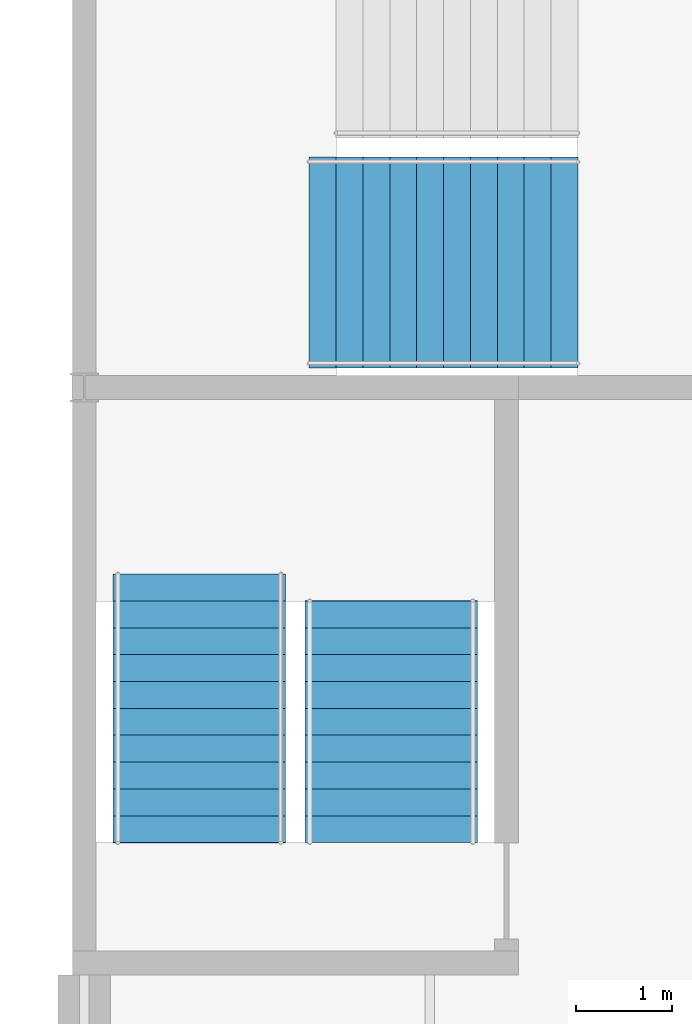
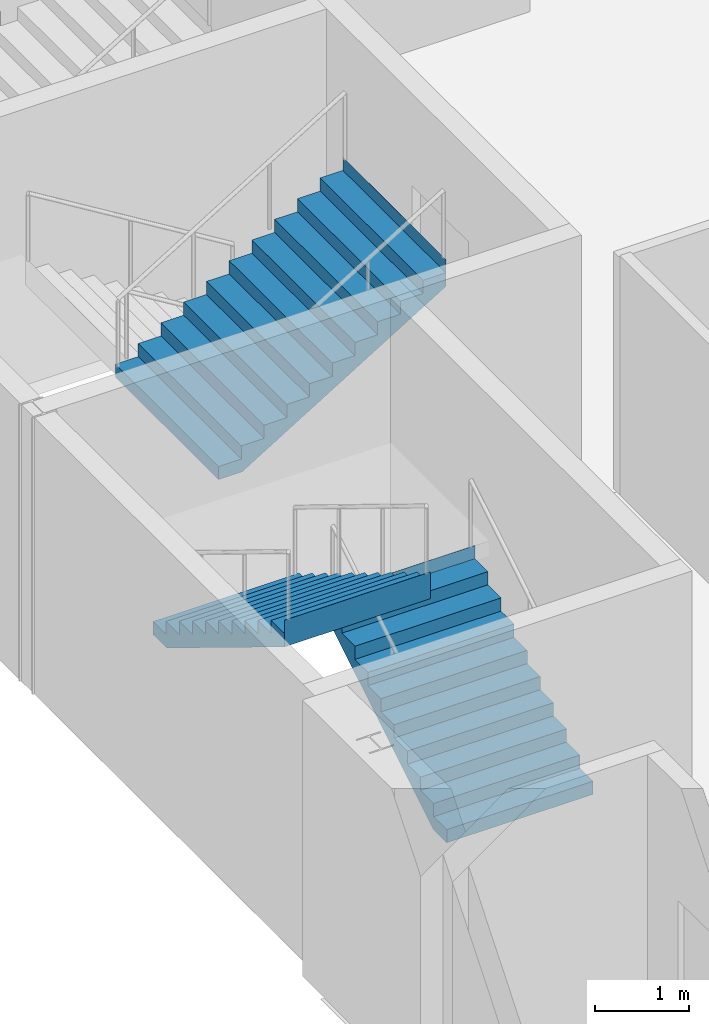
# One storey, part 62 of 90: 3 stair flights, 2 elements without a shape of their own.
"""IFC4 building model written with IfcOpenShell, lengths in metres."""

from ifc_helpers import new_model, si_unit, direction, frame, origin, place, context, subcontext, project, spatial, polyline, outline, extrude, material, type_object, element, aggregate, save


model = new_model("IFC4")

# Units and contexts
model_context = context("Model", 3, precision=1e-05, world=origin(), true_north=direction((0.0, 1.0)))
body_context = subcontext(model_context, "Body", "Model", "MODEL_VIEW")
ifc_project = project(units=[si_unit("LENGTHUNIT", "METRE"), si_unit("AREAUNIT", "SQUARE_METRE"), si_unit("VOLUMEUNIT", "CUBIC_METRE"), si_unit("PLANEANGLEUNIT", "RADIAN"), si_unit("MASSUNIT", "GRAM", prefix="KILO")], contexts=[model_context])

# Site, building, storey
site_placement = place(None, origin())
site = spatial("IfcSite", under=ifc_project, at=site_placement, CompositionType="ELEMENT")
building_placement = place(site_placement, origin())
building = spatial("IfcBuilding", under=site, at=building_placement, Name="Kupolbacken Congress Centre", CompositionType="ELEMENT")
storey_placement = place(building_placement, frame((0.0, 0.0, 3.60009765625)))
storey = spatial("IfcBuildingStorey", under=building, at=storey_placement, Name="L01", CompositionType="ELEMENT", Elevation=3.60009765625)

# Stair, stair flight
ifc_material_1 = material(Name="Concrete C30/37", Category="concrete")
stair_type_1 = type_object("IfcStairType", Name="ST13 stair 2200", PredefinedType="TWO_STRAIGHT_RUN_STAIR", material=ifc_material_1)
stair_1_placement = place(storey_placement, origin())
stair_1 = element("IfcStair", 1, at=stair_1_placement, inside=storey, type_object=stair_type_1, Name="C/stair/PS1SW/L01", PredefinedType="NOTDEFINED")
ifc_material_2 = material(Name="Concrete C30/37", Category="concrete")
stair_flight_type_1 = type_object("IfcStairFlightType", Name="FL14 stair flight 2200 x 11 risers", PredefinedType="STRAIGHT", material=ifc_material_2)
stair_flight_1_placement = place(storey_placement, frame((9.544921875, 51.699951171875, 1.714111328125), z_axis=(0.0, 0.0, 1.0), x_axis=(1.0, 0.0, 0.0)))
stair_flight_1 = element("IfcStairFlight", 2, at=stair_flight_1_placement, type_object=stair_flight_type_1, Name="PS1SW flight 2", NumberOfRisers=11, NumberOfTreads=10, PredefinedType="STRAIGHT", RiserHeight=0.171428571, TreadLength=0.28, context=body_context, shape_type="SweptSolid", body=[
    extrude(outline(polyline([(0.0, 0.0), (0.0, 0.0009765625), (0.0, 0.002197265625), (0.0, 0.003173828125), (0.0, 0.004150390625), (0.0, 0.00537109375), (0.0, 0.00634765625), (0.0, 0.007568359375), (0.0, 0.008544921875), (0.0, 0.009521484375), (0.0, 0.0107421875), (0.0, 0.01171875), (0.0, 0.0126953125), (0.0, 0.013916015625), (0.0, 0.014892578125), (0.0, 0.015869140625), (0.0, 0.01708984375), (0.0, 0.01806640625), (0.0, 0.019287109375), (0.0, 0.020263671875), (0.0, 0.021240234375), (0.0, 0.0224609375), (0.0, 0.0234375), (0.0, 0.0244140625), (0.0, 0.025634765625), (0.0, 0.026611328125), (0.0, 0.027587890625), (0.0, 0.02880859375), (0.0, 0.02978515625), (0.0, 0.03076171875), (0.0, 0.031982421875), (0.0, 0.032958984375), (0.0, 0.0341796875), (0.0, 0.03515625), (0.0, 0.0361328125), (0.0, 0.037353515625), (0.0, 0.038330078125), (0.0, 0.039306640625), (0.0, 0.04052734375), (0.0, 0.04150390625), (0.0, 0.04248046875), (0.0, 0.043701171875), (0.0, 0.044677734375), (0.0, 0.0458984375), (0.0, 0.046875), (0.0, 0.0478515625), (0.0, 0.049072265625), (0.0, 0.050048828125), (0.0, 0.051025390625), (0.0, 0.05224609375), (0.0, 0.05322265625), (0.0, 0.05419921875), (0.0, 0.055419921875), (0.0, 0.056396484375), (0.0, 0.0576171875), (0.0, 0.05859375), (0.0, 0.0595703125), (0.0, 0.060791015625), (0.0, 0.061767578125), (0.0, 0.062744140625), (0.0, 0.06396484375), (0.0, 0.06494140625), (0.0, 0.06591796875), (0.0, 0.067138671875), (0.0, 0.068115234375), (0.0, 0.069091796875), (0.0, 0.0703125), (0.0, 0.0712890625), (0.0, 0.072509765625), (0.0, 0.073486328125), (0.0, 0.074462890625), (0.0, 0.07568359375), (0.0, 0.07666015625), (0.0, 0.07763671875), (0.0, 0.078857421875), (0.0, 0.079833984375), (0.0, 0.080810546875), (0.0, 0.08203125), (0.0, 0.0830078125), (0.0, 0.084228515625), (0.0, 0.085205078125), (0.0, 0.086181640625), (0.0, 0.08740234375), (0.0, 0.08837890625), (0.0, 0.08935546875), (0.0, 0.090576171875), (0.0, 0.091552734375), (0.0, 0.092529296875), (0.0, 0.09375), (0.0, 0.0947265625), (0.0, 0.095947265625), (0.0, 0.096923828125), (0.0, 0.097900390625), (0.0, 0.09912109375), (0.0, 0.10009765625), (0.0, 0.10107421875), (0.0, 0.102294921875), (0.0, 0.103271484375), (0.0, 0.104248046875), (0.0, 0.10546875), (0.0, 0.1064453125), (0.0, 0.107421875), (0.0, 0.108642578125), (0.0, 0.109619140625), (0.0, 0.11083984375), (0.0, 0.11181640625), (0.0, 0.11279296875), (0.0, 0.114013671875), (0.0, 0.114990234375), (0.0, 0.115966796875), (0.0, 0.1171875), (0.0, 0.1181640625), (0.0, 0.119140625), (0.0, 0.120361328125), (0.0, 0.121337890625), (0.0, 0.12255859375), (0.0, 0.12353515625), (0.0, 0.12451171875), (0.0, 0.125732421875), (0.0, 0.126708984375), (0.0, 0.127685546875), (0.0, 0.12890625), (0.0, 0.1298828125), (0.0, 0.130859375), (0.0, 0.132080078125), (0.0, 0.133056640625), (0.0, 0.13427734375), (0.0, 0.13525390625), (0.0, 0.13623046875), (0.0, 0.137451171875), (0.0, 0.138427734375), (0.0, 0.139404296875), (0.0, 0.140625), (0.0, 0.1416015625), (0.0, 0.142578125), (0.0, 0.143798828125), (0.0, 0.144775390625), (0.0, 0.145751953125), (0.0, 0.14697265625), (0.0, 0.14794921875), (0.0, 0.149169921875), (0.0, 0.150146484375), (0.0, 0.151123046875), (0.0, 0.15234375), (0.0, 0.1533203125), (0.0, 0.154296875), (0.0, 0.155517578125), (0.0, 0.156494140625), (0.0, 0.157470703125), (0.0, 0.15869140625), (0.0, 0.15966796875), (0.0, 0.160888671875), (0.0, 0.161865234375), (0.0, 0.162841796875), (0.0, 0.1640625), (0.0, 0.1650390625), (0.0, 0.166015625), (0.0, 0.167236328125), (0.0, 0.168212890625), (0.0, 0.169189453125), (0.0, 0.17041015625), (0.0, 0.17138671875), (0.280029296875, 0.17138671875), (0.280029296875, 0.3427734375), (0.56005859375, 0.3427734375), (0.56005859375, 0.514404296875), (0.840087890625, 0.514404296875), (0.840087890625, 0.685791015625), (1.1201171875, 0.685791015625), (1.1201171875, 0.857177734375), (1.39990234375, 0.857177734375), (1.39990234375, 1.028564453125), (1.679931640625, 1.028564453125), (1.679931640625, 1.199951171875), (1.9599609375, 1.199951171875), (1.9599609375, 1.371337890625), (2.239990234375, 1.371337890625), (2.239990234375, 1.54296875), (2.52001953125, 1.54296875), (2.52001953125, 1.71435546875), (2.800048828125, 1.71435546875), (2.800048828125, 1.8857421875), (2.802001953125, 1.8857421875), (2.802001953125, 1.883544921875), (2.802001953125, 1.88134765625), (2.802001953125, 1.879150390625), (2.802001953125, 1.877197265625), (2.802001953125, 1.875), (2.802001953125, 1.872802734375), (2.802001953125, 1.87060546875), (2.802001953125, 1.868408203125), (2.802001953125, 1.8662109375), (2.802001953125, 1.8642578125), (2.802001953125, 1.862060546875), (2.802001953125, 1.85986328125), (2.802001953125, 1.857666015625), (2.802001953125, 1.85546875), (2.802001953125, 1.853271484375), (2.802001953125, 1.851318359375), (2.802001953125, 1.84912109375), (2.802001953125, 1.846923828125), (2.802001953125, 1.8447265625), (2.802001953125, 1.842529296875), (2.802001953125, 1.84033203125), (2.802001953125, 1.83837890625), (2.802001953125, 1.836181640625), (2.802001953125, 1.833984375), (2.802001953125, 1.831787109375), (2.802001953125, 1.82958984375), (2.802001953125, 1.827392578125), (2.802001953125, 1.825439453125), (2.802001953125, 1.8232421875), (2.802001953125, 1.821044921875), (2.802001953125, 1.81884765625), (2.802001953125, 1.816650390625), (2.802001953125, 1.814453125), (2.802001953125, 1.8125), (2.802001953125, 1.810302734375), (2.802001953125, 1.80810546875), (2.802001953125, 1.805908203125), (2.802001953125, 1.8037109375), (2.802001953125, 1.801513671875), (2.802001953125, 1.799560546875), (2.802001953125, 1.79736328125), (2.802001953125, 1.795166015625), (2.802001953125, 1.79296875), (2.802001953125, 1.790771484375), (2.802001953125, 1.78857421875), (2.802001953125, 1.78662109375), (2.802001953125, 1.784423828125), (2.802001953125, 1.7822265625), (2.802001953125, 1.780029296875), (2.802001953125, 1.77783203125), (2.802001953125, 1.775634765625), (2.802001953125, 1.773681640625), (2.802001953125, 1.771484375), (2.802001953125, 1.769287109375), (2.802001953125, 1.76708984375), (2.802001953125, 1.764892578125), (2.802001953125, 1.7626953125), (2.802001953125, 1.7607421875), (2.802001953125, 1.758544921875), (2.802001953125, 1.75634765625), (2.802001953125, 1.754150390625), (2.802001953125, 1.751953125), (2.802001953125, 1.749755859375), (2.802001953125, 1.747802734375), (2.802001953125, 1.74560546875), (2.802001953125, 1.743408203125), (2.802001953125, 1.7412109375), (2.802001953125, 1.739013671875), (2.802001953125, 1.73681640625), (2.802001953125, 1.73486328125), (2.802001953125, 1.732666015625), (2.802001953125, 1.73046875), (2.802001953125, 1.728271484375), (2.802001953125, 1.72607421875), (2.802001953125, 1.723876953125), (2.802001953125, 1.721923828125), (2.802001953125, 1.7197265625), (2.802001953125, 1.717529296875), (2.802001953125, 1.71533203125), (2.802001953125, 1.713134765625), (2.802001953125, 1.7109375), (2.802001953125, 1.708984375), (2.802001953125, 1.706787109375), (2.802001953125, 1.70458984375), (2.802001953125, 1.702392578125), (2.802001953125, 1.7001953125), (2.802001953125, 1.697998046875), (2.802001953125, 1.696044921875), (2.802001953125, 1.69384765625), (2.802001953125, 1.691650390625), (2.802001953125, 1.689453125), (2.802001953125, 1.687255859375), (2.802001953125, 1.68505859375), (2.802001953125, 1.68310546875), (2.802001953125, 1.680908203125), (2.802001953125, 1.6787109375), (2.802001953125, 1.676513671875), (2.802001953125, 1.67431640625), (2.802001953125, 1.672119140625), (2.802001953125, 1.670166015625), (2.802001953125, 1.66796875), (2.802001953125, 1.665771484375), (2.802001953125, 1.66357421875), (2.802001953125, 1.661376953125), (2.802001953125, 1.6591796875), (2.802001953125, 1.6572265625), (2.802001953125, 1.655029296875), (2.802001953125, 1.65283203125), (2.802001953125, 1.650634765625), (2.802001953125, 1.6484375), (2.802001953125, 1.646240234375), (2.802001953125, 1.644287109375), (2.802001953125, 1.64208984375), (2.802001953125, 1.639892578125), (2.802001953125, 1.6376953125), (2.802001953125, 1.635498046875), (2.802001953125, 1.63330078125), (2.802001953125, 1.63134765625), (2.802001953125, 1.629150390625), (2.802001953125, 1.626953125), (2.802001953125, 1.624755859375), (2.802001953125, 1.62255859375), (2.802001953125, 1.620361328125), (2.802001953125, 1.618408203125), (2.802001953125, 1.6162109375), (2.802001953125, 1.614013671875), (2.802001953125, 1.61181640625), (2.802001953125, 1.609619140625), (2.802001953125, 1.607421875), (2.802001953125, 1.60546875), (2.802001953125, 1.603271484375), (2.802001953125, 1.60107421875), (2.802001953125, 1.598876953125), (2.802001953125, 1.5966796875), (2.802001953125, 1.594482421875), (2.802001953125, 1.592529296875), (2.802001953125, 1.59033203125), (2.802001953125, 1.588134765625), (2.802001953125, 1.5859375), (2.802001953125, 1.583740234375), (2.802001953125, 1.58154296875), (2.802001953125, 1.57958984375), (2.802001953125, 1.577392578125), (2.802001953125, 1.5751953125), (2.802001953125, 1.572998046875), (2.802001953125, 1.57080078125), (2.802001953125, 1.568603515625), (2.802001953125, 1.566650390625), (2.802001953125, 1.564453125), (2.802001953125, 1.562255859375), (2.802001953125, 1.56005859375), (2.802001953125, 1.557861328125), (2.802001953125, 1.5556640625), (2.802001953125, 1.5537109375), (2.802001953125, 1.551513671875), (2.802001953125, 1.54931640625), (2.802001953125, 1.547119140625), (2.802001953125, 1.544921875), (2.802001953125, 1.542724609375), (2.802001953125, 1.540771484375), (2.802001953125, 1.53857421875), (0.2890625, 0.0), (0.0, 0.0)])), frame((0.0, 1.10009765625, 0.0), z_axis=(0.0, -1.0, 0.0), x_axis=(1.0, 0.0, 0.0)), (0.0, 0.0, 1.0), 2.199951171875),
])
aggregate(stair_1, [stair_flight_1])

# Stair, stair flights
ifc_material_3 = material(Name="Steel S355", Category="steel")
stair_type_2 = type_object("IfcStairType", Name="ST3 stair 1800", PredefinedType="TWO_STRAIGHT_RUN_STAIR", material=ifc_material_3)
stair_2_placement = place(storey_placement, origin())
stair_2 = element("IfcStair", 3, at=stair_2_placement, inside=storey, type_object=stair_type_2, Name="C/stair/FS2W/L01", PredefinedType="NOTDEFINED")
ifc_material_4 = material(Name="Steel S355", Category="steel")
stair_flight_type_2 = type_object("IfcStairFlightType", Name="FL5 stair flight 1800 x 10 risers", PredefinedType="STRAIGHT", material=ifc_material_4)
stair_flight_2_placement = place(storey_placement, frame((10.39990234375, 45.655029296875, 0.0), z_axis=(0.0, 0.0, 1.0), x_axis=(0.0, 1.0, 0.0)))
stair_flight_2 = element("IfcStairFlight", 4, at=stair_flight_2_placement, type_object=stair_flight_type_2, Name="FS2W flight 1", NumberOfRisers=10, NumberOfTreads=9, PredefinedType="STRAIGHT", RiserHeight=0.171428571, TreadLength=0.28, context=body_context, shape_type="SweptSolid", body=[
    extrude(outline(polyline([(0.0, 0.0), (0.0, 0.0009765625), (0.0, 0.002197265625), (0.0, 0.003173828125), (0.0, 0.004150390625), (0.0, 0.00537109375), (0.0, 0.00634765625), (0.0, 0.007568359375), (0.0, 0.008544921875), (0.0, 0.009521484375), (0.0, 0.0107421875), (0.0, 0.01171875), (0.0, 0.0126953125), (0.0, 0.013916015625), (0.0, 0.014892578125), (0.0, 0.015869140625), (0.0, 0.01708984375), (0.0, 0.01806640625), (0.0, 0.019287109375), (0.0, 0.020263671875), (0.0, 0.021240234375), (0.0, 0.0224609375), (0.0, 0.0234375), (0.0, 0.0244140625), (0.0, 0.025634765625), (0.0, 0.026611328125), (0.0, 0.027587890625), (0.0, 0.02880859375), (0.0, 0.02978515625), (0.0, 0.03076171875), (0.0, 0.031982421875), (0.0, 0.032958984375), (0.0, 0.0341796875), (0.0, 0.03515625), (0.0, 0.0361328125), (0.0, 0.037353515625), (0.0, 0.038330078125), (0.0, 0.039306640625), (0.0, 0.04052734375), (0.0, 0.04150390625), (0.0, 0.04248046875), (0.0, 0.043701171875), (0.0, 0.044677734375), (0.0, 0.0458984375), (0.0, 0.046875), (0.0, 0.0478515625), (0.0, 0.049072265625), (0.0, 0.050048828125), (0.0, 0.051025390625), (0.0, 0.05224609375), (0.0, 0.05322265625), (0.0, 0.05419921875), (0.0, 0.055419921875), (0.0, 0.056396484375), (0.0, 0.0576171875), (0.0, 0.05859375), (0.0, 0.0595703125), (0.0, 0.060791015625), (0.0, 0.061767578125), (0.0, 0.062744140625), (0.0, 0.06396484375), (0.0, 0.06494140625), (0.0, 0.06591796875), (0.0, 0.067138671875), (0.0, 0.068115234375), (0.0, 0.069091796875), (0.0, 0.0703125), (0.0, 0.0712890625), (0.0, 0.072509765625), (0.0, 0.073486328125), (0.0, 0.074462890625), (0.0, 0.07568359375), (0.0, 0.07666015625), (0.0, 0.07763671875), (0.0, 0.078857421875), (0.0, 0.079833984375), (0.0, 0.080810546875), (0.0, 0.08203125), (0.0, 0.0830078125), (0.0, 0.084228515625), (0.0, 0.085205078125), (0.0, 0.086181640625), (0.0, 0.08740234375), (0.0, 0.08837890625), (0.0, 0.08935546875), (0.0, 0.090576171875), (0.0, 0.091552734375), (0.0, 0.092529296875), (0.0, 0.09375), (0.0, 0.0947265625), (0.0, 0.095947265625), (0.0, 0.096923828125), (0.0, 0.097900390625), (0.0, 0.09912109375), (0.0, 0.10009765625), (0.0, 0.10107421875), (0.0, 0.102294921875), (0.0, 0.103271484375), (0.0, 0.104248046875), (0.0, 0.10546875), (0.0, 0.1064453125), (0.0, 0.107421875), (0.0, 0.108642578125), (0.0, 0.109619140625), (0.0, 0.11083984375), (0.0, 0.11181640625), (0.0, 0.11279296875), (0.0, 0.114013671875), (0.0, 0.114990234375), (0.0, 0.115966796875), (0.0, 0.1171875), (0.0, 0.1181640625), (0.0, 0.119140625), (0.0, 0.120361328125), (0.0, 0.121337890625), (0.0, 0.12255859375), (0.0, 0.12353515625), (0.0, 0.12451171875), (0.0, 0.125732421875), (0.0, 0.126708984375), (0.0, 0.127685546875), (0.0, 0.12890625), (0.0, 0.1298828125), (0.0, 0.130859375), (0.0, 0.132080078125), (0.0, 0.133056640625), (0.0, 0.13427734375), (0.0, 0.13525390625), (0.0, 0.13623046875), (0.0, 0.137451171875), (0.0, 0.138427734375), (0.0, 0.139404296875), (0.0, 0.140625), (0.0, 0.1416015625), (0.0, 0.142578125), (0.0, 0.143798828125), (0.0, 0.144775390625), (0.0, 0.145751953125), (0.0, 0.14697265625), (0.0, 0.14794921875), (0.0, 0.149169921875), (0.0, 0.150146484375), (0.0, 0.151123046875), (0.0, 0.15234375), (0.0, 0.1533203125), (0.0, 0.154296875), (0.0, 0.155517578125), (0.0, 0.156494140625), (0.0, 0.157470703125), (0.0, 0.15869140625), (0.0, 0.15966796875), (0.0, 0.160888671875), (0.0, 0.161865234375), (0.0, 0.162841796875), (0.0, 0.1640625), (0.0, 0.1650390625), (0.0, 0.166015625), (0.0, 0.167236328125), (0.0, 0.168212890625), (0.0, 0.169189453125), (0.0, 0.17041015625), (0.0, 0.17138671875), (0.280029296875, 0.17138671875), (0.280029296875, 0.3427734375), (0.56005859375, 0.3427734375), (0.56005859375, 0.514404296875), (0.840087890625, 0.514404296875), (0.840087890625, 0.685791015625), (1.1201171875, 0.685791015625), (1.1201171875, 0.857177734375), (1.39990234375, 0.857177734375), (1.39990234375, 1.028564453125), (1.679931640625, 1.028564453125), (1.679931640625, 1.199951171875), (1.9599609375, 1.199951171875), (1.9599609375, 1.371337890625), (2.239990234375, 1.371337890625), (2.239990234375, 1.54296875), (2.52001953125, 1.54296875), (2.52001953125, 1.71435546875), (2.52197265625, 1.71435546875), (2.52197265625, 1.712158203125), (2.52197265625, 1.7099609375), (2.52197265625, 1.707763671875), (2.52197265625, 1.70556640625), (2.52197265625, 1.70361328125), (2.52197265625, 1.701416015625), (2.52197265625, 1.69921875), (2.52197265625, 1.697021484375), (2.52197265625, 1.69482421875), (2.52197265625, 1.692626953125), (2.52197265625, 1.690673828125), (2.52197265625, 1.6884765625), (2.52197265625, 1.686279296875), (2.52197265625, 1.68408203125), (2.52197265625, 1.681884765625), (2.52197265625, 1.6796875), (2.52197265625, 1.677734375), (2.52197265625, 1.675537109375), (2.52197265625, 1.67333984375), (2.52197265625, 1.671142578125), (2.52197265625, 1.6689453125), (2.52197265625, 1.666748046875), (2.52197265625, 1.664794921875), (2.52197265625, 1.66259765625), (2.52197265625, 1.660400390625), (2.52197265625, 1.658203125), (2.52197265625, 1.656005859375), (2.52197265625, 1.65380859375), (2.52197265625, 1.65185546875), (2.52197265625, 1.649658203125), (2.52197265625, 1.6474609375), (2.52197265625, 1.645263671875), (2.52197265625, 1.64306640625), (2.52197265625, 1.640869140625), (2.52197265625, 1.638916015625), (2.52197265625, 1.63671875), (2.52197265625, 1.634521484375), (2.52197265625, 1.63232421875), (2.52197265625, 1.630126953125), (2.52197265625, 1.6279296875), (2.52197265625, 1.6259765625), (2.52197265625, 1.623779296875), (2.52197265625, 1.62158203125), (2.52197265625, 1.619384765625), (2.52197265625, 1.6171875), (2.52197265625, 1.614990234375), (2.52197265625, 1.613037109375), (2.52197265625, 1.61083984375), (2.52197265625, 1.608642578125), (2.52197265625, 1.6064453125), (2.52197265625, 1.604248046875), (2.52197265625, 1.60205078125), (2.52197265625, 1.60009765625), (2.52197265625, 1.597900390625), (2.52197265625, 1.595703125), (2.52197265625, 1.593505859375), (2.52197265625, 1.59130859375), (2.52197265625, 1.589111328125), (2.52197265625, 1.587158203125), (2.52197265625, 1.5849609375), (2.52197265625, 1.582763671875), (2.52197265625, 1.58056640625), (2.52197265625, 1.578369140625), (2.52197265625, 1.576171875), (2.52197265625, 1.57421875), (2.52197265625, 1.572021484375), (2.52197265625, 1.56982421875), (2.52197265625, 1.567626953125), (2.52197265625, 1.5654296875), (2.52197265625, 1.563232421875), (2.52197265625, 1.561279296875), (2.52197265625, 1.55908203125), (2.52197265625, 1.556884765625), (2.52197265625, 1.5546875), (2.52197265625, 1.552490234375), (2.52197265625, 1.55029296875), (2.52197265625, 1.54833984375), (2.52197265625, 1.546142578125), (2.52197265625, 1.5439453125), (2.52197265625, 1.541748046875), (2.52197265625, 1.53955078125), (2.52197265625, 1.537353515625), (2.52197265625, 1.535400390625), (2.52197265625, 1.533203125), (2.52197265625, 1.531005859375), (2.52197265625, 1.52880859375), (2.52197265625, 1.526611328125), (2.52197265625, 1.5244140625), (2.52197265625, 1.5224609375), (2.52197265625, 1.520263671875), (2.52197265625, 1.51806640625), (2.52197265625, 1.515869140625), (2.52197265625, 1.513671875), (2.52197265625, 1.511474609375), (2.52197265625, 1.509521484375), (2.52197265625, 1.50732421875), (2.52197265625, 1.505126953125), (2.52197265625, 1.5029296875), (2.52197265625, 1.500732421875), (2.52197265625, 1.49853515625), (2.52197265625, 1.49658203125), (2.52197265625, 1.494384765625), (2.52197265625, 1.4921875), (2.52197265625, 1.489990234375), (2.52197265625, 1.48779296875), (2.52197265625, 1.485595703125), (2.52197265625, 1.483642578125), (2.52197265625, 1.4814453125), (2.52197265625, 1.479248046875), (2.52197265625, 1.47705078125), (2.52197265625, 1.474853515625), (2.52197265625, 1.47265625), (2.52197265625, 1.470703125), (2.52197265625, 1.468505859375), (2.52197265625, 1.46630859375), (2.52197265625, 1.464111328125), (2.52197265625, 1.4619140625), (2.52197265625, 1.459716796875), (2.52197265625, 1.457763671875), (2.52197265625, 1.45556640625), (2.52197265625, 1.453369140625), (2.52197265625, 1.451171875), (2.52197265625, 1.448974609375), (2.52197265625, 1.44677734375), (2.52197265625, 1.44482421875), (2.52197265625, 1.442626953125), (2.52197265625, 1.4404296875), (2.52197265625, 1.438232421875), (2.52197265625, 1.43603515625), (2.52197265625, 1.433837890625), (2.52197265625, 1.431884765625), (2.52197265625, 1.4296875), (2.52197265625, 1.427490234375), (2.52197265625, 1.42529296875), (2.52197265625, 1.423095703125), (2.52197265625, 1.4208984375), (2.52197265625, 1.4189453125), (2.52197265625, 1.416748046875), (2.52197265625, 1.41455078125), (2.52197265625, 1.412353515625), (2.52197265625, 1.41015625), (2.52197265625, 1.407958984375), (2.52197265625, 1.406005859375), (2.52197265625, 1.40380859375), (2.52197265625, 1.401611328125), (2.52197265625, 1.3994140625), (2.52197265625, 1.397216796875), (2.52197265625, 1.39501953125), (2.52197265625, 1.39306640625), (2.52197265625, 1.390869140625), (2.52197265625, 1.388671875), (2.52197265625, 1.386474609375), (2.52197265625, 1.38427734375), (2.52197265625, 1.382080078125), (2.52197265625, 1.380126953125), (2.52197265625, 1.3779296875), (2.52197265625, 1.375732421875), (2.52197265625, 1.37353515625), (2.52197265625, 1.371337890625), (2.52197265625, 1.369140625), (2.52197265625, 1.3671875), (0.2890625, 0.0), (0.0, 0.0)])), frame((0.0, 0.89990234375, 0.0), z_axis=(0.0, -1.0, 0.0), x_axis=(1.0, 0.0, 0.0)), (0.0, 0.0, 1.0), 1.800048828125),
])
ifc_material_5 = material(Name="Steel S355", Category="steel")
stair_flight_type_3 = type_object("IfcStairFlightType", Name="FL6 stair flight 1800 x 11 risers", PredefinedType="STRAIGHT", material=ifc_material_5)
stair_flight_3_placement = place(storey_placement, frame((8.39990234375, 48.455078125, 1.714111328125), z_axis=(0.0, 0.0, 1.0), x_axis=(0.0, -1.0, 0.0)))
stair_flight_3 = element("IfcStairFlight", 5, at=stair_flight_3_placement, type_object=stair_flight_type_3, Name="FS2W flight 2", NumberOfRisers=11, NumberOfTreads=10, PredefinedType="STRAIGHT", RiserHeight=0.171428571, TreadLength=0.28, context=body_context, shape_type="SweptSolid", body=[
    extrude(outline(polyline([(0.0, 0.0), (0.0, 0.0009765625), (0.0, 0.002197265625), (0.0, 0.003173828125), (0.0, 0.004150390625), (0.0, 0.00537109375), (0.0, 0.00634765625), (0.0, 0.007568359375), (0.0, 0.008544921875), (0.0, 0.009521484375), (0.0, 0.0107421875), (0.0, 0.01171875), (0.0, 0.0126953125), (0.0, 0.013916015625), (0.0, 0.014892578125), (0.0, 0.015869140625), (0.0, 0.01708984375), (0.0, 0.01806640625), (0.0, 0.019287109375), (0.0, 0.020263671875), (0.0, 0.021240234375), (0.0, 0.0224609375), (0.0, 0.0234375), (0.0, 0.0244140625), (0.0, 0.025634765625), (0.0, 0.026611328125), (0.0, 0.027587890625), (0.0, 0.02880859375), (0.0, 0.02978515625), (0.0, 0.03076171875), (0.0, 0.031982421875), (0.0, 0.032958984375), (0.0, 0.0341796875), (0.0, 0.03515625), (0.0, 0.0361328125), (0.0, 0.037353515625), (0.0, 0.038330078125), (0.0, 0.039306640625), (0.0, 0.04052734375), (0.0, 0.04150390625), (0.0, 0.04248046875), (0.0, 0.043701171875), (0.0, 0.044677734375), (0.0, 0.0458984375), (0.0, 0.046875), (0.0, 0.0478515625), (0.0, 0.049072265625), (0.0, 0.050048828125), (0.0, 0.051025390625), (0.0, 0.05224609375), (0.0, 0.05322265625), (0.0, 0.05419921875), (0.0, 0.055419921875), (0.0, 0.056396484375), (0.0, 0.0576171875), (0.0, 0.05859375), (0.0, 0.0595703125), (0.0, 0.060791015625), (0.0, 0.061767578125), (0.0, 0.062744140625), (0.0, 0.06396484375), (0.0, 0.06494140625), (0.0, 0.06591796875), (0.0, 0.067138671875), (0.0, 0.068115234375), (0.0, 0.069091796875), (0.0, 0.0703125), (0.0, 0.0712890625), (0.0, 0.072509765625), (0.0, 0.073486328125), (0.0, 0.074462890625), (0.0, 0.07568359375), (0.0, 0.07666015625), (0.0, 0.07763671875), (0.0, 0.078857421875), (0.0, 0.079833984375), (0.0, 0.080810546875), (0.0, 0.08203125), (0.0, 0.0830078125), (0.0, 0.084228515625), (0.0, 0.085205078125), (0.0, 0.086181640625), (0.0, 0.08740234375), (0.0, 0.08837890625), (0.0, 0.08935546875), (0.0, 0.090576171875), (0.0, 0.091552734375), (0.0, 0.092529296875), (0.0, 0.09375), (0.0, 0.0947265625), (0.0, 0.095947265625), (0.0, 0.096923828125), (0.0, 0.097900390625), (0.0, 0.09912109375), (0.0, 0.10009765625), (0.0, 0.10107421875), (0.0, 0.102294921875), (0.0, 0.103271484375), (0.0, 0.104248046875), (0.0, 0.10546875), (0.0, 0.1064453125), (0.0, 0.107421875), (0.0, 0.108642578125), (0.0, 0.109619140625), (0.0, 0.11083984375), (0.0, 0.11181640625), (0.0, 0.11279296875), (0.0, 0.114013671875), (0.0, 0.114990234375), (0.0, 0.115966796875), (0.0, 0.1171875), (0.0, 0.1181640625), (0.0, 0.119140625), (0.0, 0.120361328125), (0.0, 0.121337890625), (0.0, 0.12255859375), (0.0, 0.12353515625), (0.0, 0.12451171875), (0.0, 0.125732421875), (0.0, 0.126708984375), (0.0, 0.127685546875), (0.0, 0.12890625), (0.0, 0.1298828125), (0.0, 0.130859375), (0.0, 0.132080078125), (0.0, 0.133056640625), (0.0, 0.13427734375), (0.0, 0.13525390625), (0.0, 0.13623046875), (0.0, 0.137451171875), (0.0, 0.138427734375), (0.0, 0.139404296875), (0.0, 0.140625), (0.0, 0.1416015625), (0.0, 0.142578125), (0.0, 0.143798828125), (0.0, 0.144775390625), (0.0, 0.145751953125), (0.0, 0.14697265625), (0.0, 0.14794921875), (0.0, 0.149169921875), (0.0, 0.150146484375), (0.0, 0.151123046875), (0.0, 0.15234375), (0.0, 0.1533203125), (0.0, 0.154296875), (0.0, 0.155517578125), (0.0, 0.156494140625), (0.0, 0.157470703125), (0.0, 0.15869140625), (0.0, 0.15966796875), (0.0, 0.160888671875), (0.0, 0.161865234375), (0.0, 0.162841796875), (0.0, 0.1640625), (0.0, 0.1650390625), (0.0, 0.166015625), (0.0, 0.167236328125), (0.0, 0.168212890625), (0.0, 0.169189453125), (0.0, 0.17041015625), (0.0, 0.17138671875), (0.280029296875, 0.17138671875), (0.280029296875, 0.3427734375), (0.56005859375, 0.3427734375), (0.56005859375, 0.514404296875), (0.840087890625, 0.514404296875), (0.840087890625, 0.685791015625), (1.1201171875, 0.685791015625), (1.1201171875, 0.857177734375), (1.39990234375, 0.857177734375), (1.39990234375, 1.028564453125), (1.679931640625, 1.028564453125), (1.679931640625, 1.199951171875), (1.9599609375, 1.199951171875), (1.9599609375, 1.371337890625), (2.239990234375, 1.371337890625), (2.239990234375, 1.54296875), (2.52001953125, 1.54296875), (2.52001953125, 1.71435546875), (2.800048828125, 1.71435546875), (2.800048828125, 1.8857421875), (2.802001953125, 1.8857421875), (2.802001953125, 1.883544921875), (2.802001953125, 1.88134765625), (2.802001953125, 1.879150390625), (2.802001953125, 1.877197265625), (2.802001953125, 1.875), (2.802001953125, 1.872802734375), (2.802001953125, 1.87060546875), (2.802001953125, 1.868408203125), (2.802001953125, 1.8662109375), (2.802001953125, 1.8642578125), (2.802001953125, 1.862060546875), (2.802001953125, 1.85986328125), (2.802001953125, 1.857666015625), (2.802001953125, 1.85546875), (2.802001953125, 1.853271484375), (2.802001953125, 1.851318359375), (2.802001953125, 1.84912109375), (2.802001953125, 1.846923828125), (2.802001953125, 1.8447265625), (2.802001953125, 1.842529296875), (2.802001953125, 1.84033203125), (2.802001953125, 1.83837890625), (2.802001953125, 1.836181640625), (2.802001953125, 1.833984375), (2.802001953125, 1.831787109375), (2.802001953125, 1.82958984375), (2.802001953125, 1.827392578125), (2.802001953125, 1.825439453125), (2.802001953125, 1.8232421875), (2.802001953125, 1.821044921875), (2.802001953125, 1.81884765625), (2.802001953125, 1.816650390625), (2.802001953125, 1.814453125), (2.802001953125, 1.8125), (2.802001953125, 1.810302734375), (2.802001953125, 1.80810546875), (2.802001953125, 1.805908203125), (2.802001953125, 1.8037109375), (2.802001953125, 1.801513671875), (2.802001953125, 1.799560546875), (2.802001953125, 1.79736328125), (2.802001953125, 1.795166015625), (2.802001953125, 1.79296875), (2.802001953125, 1.790771484375), (2.802001953125, 1.78857421875), (2.802001953125, 1.78662109375), (2.802001953125, 1.784423828125), (2.802001953125, 1.7822265625), (2.802001953125, 1.780029296875), (2.802001953125, 1.77783203125), (2.802001953125, 1.775634765625), (2.802001953125, 1.773681640625), (2.802001953125, 1.771484375), (2.802001953125, 1.769287109375), (2.802001953125, 1.76708984375), (2.802001953125, 1.764892578125), (2.802001953125, 1.7626953125), (2.802001953125, 1.7607421875), (2.802001953125, 1.758544921875), (2.802001953125, 1.75634765625), (2.802001953125, 1.754150390625), (2.802001953125, 1.751953125), (2.802001953125, 1.749755859375), (2.802001953125, 1.747802734375), (2.802001953125, 1.74560546875), (2.802001953125, 1.743408203125), (2.802001953125, 1.7412109375), (2.802001953125, 1.739013671875), (2.802001953125, 1.73681640625), (2.802001953125, 1.73486328125), (2.802001953125, 1.732666015625), (2.802001953125, 1.73046875), (2.802001953125, 1.728271484375), (2.802001953125, 1.72607421875), (2.802001953125, 1.723876953125), (2.802001953125, 1.721923828125), (2.802001953125, 1.7197265625), (2.802001953125, 1.717529296875), (2.802001953125, 1.71533203125), (2.802001953125, 1.713134765625), (2.802001953125, 1.7109375), (2.802001953125, 1.708984375), (2.802001953125, 1.706787109375), (2.802001953125, 1.70458984375), (2.802001953125, 1.702392578125), (2.802001953125, 1.7001953125), (2.802001953125, 1.697998046875), (2.802001953125, 1.696044921875), (2.802001953125, 1.69384765625), (2.802001953125, 1.691650390625), (2.802001953125, 1.689453125), (2.802001953125, 1.687255859375), (2.802001953125, 1.68505859375), (2.802001953125, 1.68310546875), (2.802001953125, 1.680908203125), (2.802001953125, 1.6787109375), (2.802001953125, 1.676513671875), (2.802001953125, 1.67431640625), (2.802001953125, 1.672119140625), (2.802001953125, 1.670166015625), (2.802001953125, 1.66796875), (2.802001953125, 1.665771484375), (2.802001953125, 1.66357421875), (2.802001953125, 1.661376953125), (2.802001953125, 1.6591796875), (2.802001953125, 1.6572265625), (2.802001953125, 1.655029296875), (2.802001953125, 1.65283203125), (2.802001953125, 1.650634765625), (2.802001953125, 1.6484375), (2.802001953125, 1.646240234375), (2.802001953125, 1.644287109375), (2.802001953125, 1.64208984375), (2.802001953125, 1.639892578125), (2.802001953125, 1.6376953125), (2.802001953125, 1.635498046875), (2.802001953125, 1.63330078125), (2.802001953125, 1.63134765625), (2.802001953125, 1.629150390625), (2.802001953125, 1.626953125), (2.802001953125, 1.624755859375), (2.802001953125, 1.62255859375), (2.802001953125, 1.620361328125), (2.802001953125, 1.618408203125), (2.802001953125, 1.6162109375), (2.802001953125, 1.614013671875), (2.802001953125, 1.61181640625), (2.802001953125, 1.609619140625), (2.802001953125, 1.607421875), (2.802001953125, 1.60546875), (2.802001953125, 1.603271484375), (2.802001953125, 1.60107421875), (2.802001953125, 1.598876953125), (2.802001953125, 1.5966796875), (2.802001953125, 1.594482421875), (2.802001953125, 1.592529296875), (2.802001953125, 1.59033203125), (2.802001953125, 1.588134765625), (2.802001953125, 1.5859375), (2.802001953125, 1.583740234375), (2.802001953125, 1.58154296875), (2.802001953125, 1.57958984375), (2.802001953125, 1.577392578125), (2.802001953125, 1.5751953125), (2.802001953125, 1.572998046875), (2.802001953125, 1.57080078125), (2.802001953125, 1.568603515625), (2.802001953125, 1.566650390625), (2.802001953125, 1.564453125), (2.802001953125, 1.562255859375), (2.802001953125, 1.56005859375), (2.802001953125, 1.557861328125), (2.802001953125, 1.5556640625), (2.802001953125, 1.5537109375), (2.802001953125, 1.551513671875), (2.802001953125, 1.54931640625), (2.802001953125, 1.547119140625), (2.802001953125, 1.544921875), (2.802001953125, 1.542724609375), (2.802001953125, 1.540771484375), (2.802001953125, 1.53857421875), (0.2890625, 0.0), (0.0, 0.0)])), frame((0.0, 0.89990234375, 0.0), z_axis=(0.0, -1.0, 0.0), x_axis=(1.0, 0.0, 0.0)), (0.0, 0.0, 1.0), 1.800048828125),
])
aggregate(stair_2, [stair_flight_2, stair_flight_3])

save(model, "model.ifc")
